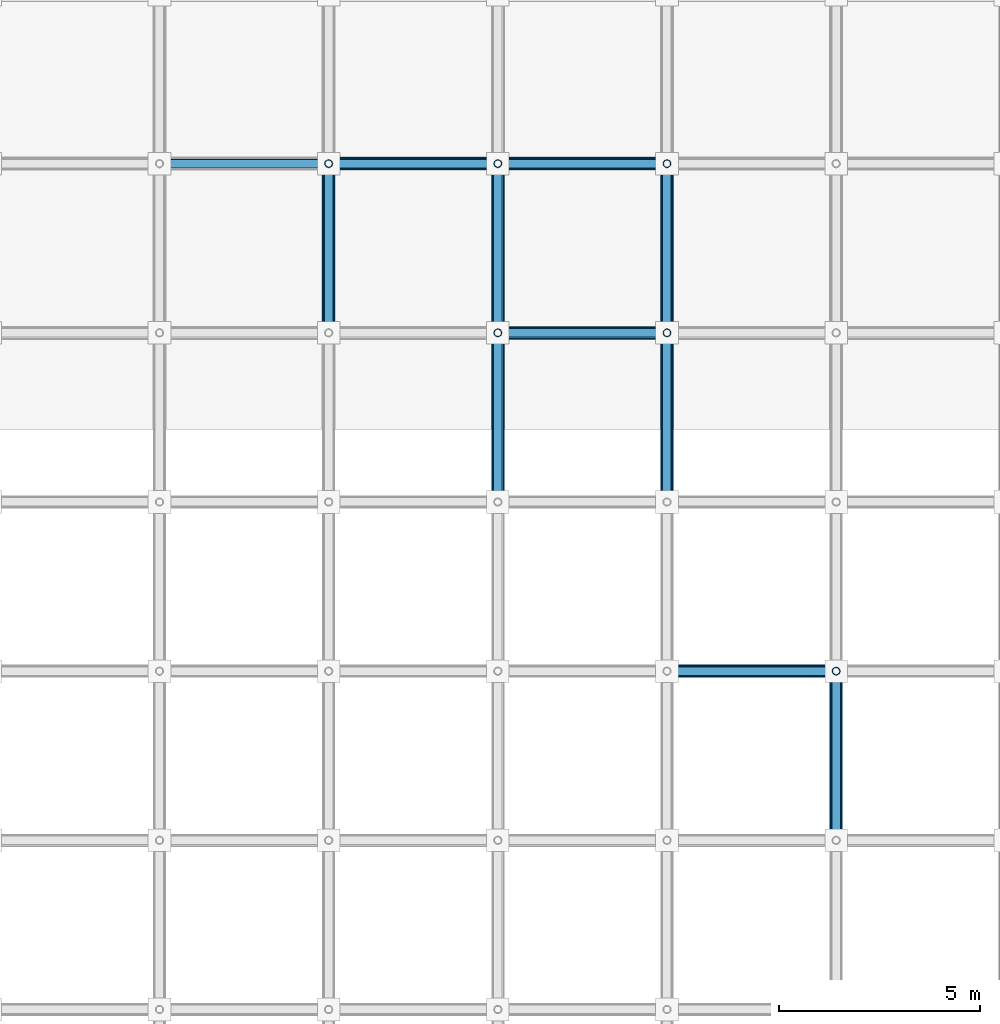
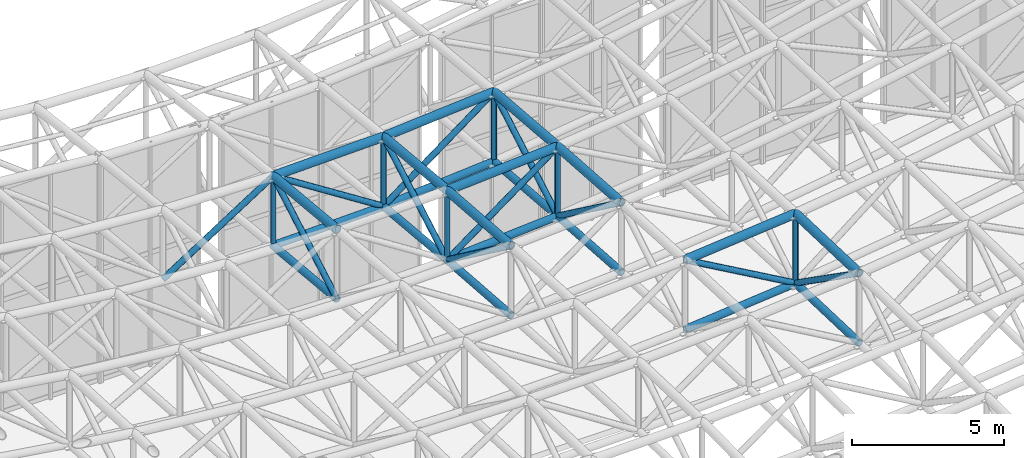
# One storey, part 35 of 93: 37 members.
"""IFC4 building model written with IfcOpenShell, lengths in metres."""

import ifcopenshell
import ifcopenshell.guid

model = None  # the IFC model being written
_history = None  # IfcOwnerHistory: only IFC2X3 demands one
_inside = {}  # id of a spatial element -> (the spatial element, [elements in it])
_under = {}  # id of a project, library or spatial element -> (it, [spatial elements below it])
_declared = {}  # id of a project -> (the project, [libraries it declares])
_typed = {}  # id of a type object -> (the type object, [elements of that type])
_made_of = {}  # id of a material, layer set ... -> (it, [elements and type objects made of it])


def new_model(schema):
    """Start an empty IFC model of exactly this schema.

    Asked for "IFC4X3", IfcOpenShell would pick the latest addendum, in which some entities
    have other attributes; the version numbers below select the first issue.
    IFC2X3 requires an IfcOwnerHistory on every rooted entity: one is made here for all.
    """
    global model, _history
    if schema == "IFC4X3":
        model = ifcopenshell.file(schema_version=(4, 3, 0, 0))
    else:
        model = ifcopenshell.file(schema=schema)
    _inside.clear()
    _under.clear()
    _declared.clear()
    _typed.clear()
    _made_of.clear()
    _history = None
    if model.schema == "IFC2X3":
        org = make("IfcOrganization", Name="unknown")
        user = make(
            "IfcPersonAndOrganization",
            ThePerson=make("IfcPerson", FamilyName="unknown"),
            TheOrganization=org,
        )
        app = make(
            "IfcApplication",
            ApplicationDeveloper=org,
            Version="unknown",
            ApplicationFullName="unknown",
            ApplicationIdentifier="unknown",
        )
        _history = make(
            "IfcOwnerHistory",
            OwningUser=user,
            OwningApplication=app,
            ChangeAction="ADDED",
            CreationDate=0,
        )
    return model


def make(cls, **values):
    """One entity of the class cls with the attributes given. An attribute that is None is left unset."""
    return model.create_entity(
        cls, **{name: value for name, value in values.items() if value is not None}
    )


def rooted(cls, **values):
    """An entity with a GlobalId (a new one), such as an element, a storey or a relation."""
    return make(cls, GlobalId=ifcopenshell.guid.new(), OwnerHistory=_history, **values)


def si_unit(unit_type, name, prefix=None):
    """IfcSIUnit, for example si_unit("LENGTHUNIT", "METRE", prefix="MILLI")."""
    return make("IfcSIUnit", UnitType=unit_type, Prefix=prefix, Name=name)


def assignment(units):
    """IfcUnitAssignment: the units of a project."""
    return None if units is None else make("IfcUnitAssignment", Units=units)


def point(xyz):
    """IfcCartesianPoint."""
    return None if xyz is None else make("IfcCartesianPoint", Coordinates=xyz)


def direction(xyz):
    """IfcDirection."""
    return None if xyz is None else make("IfcDirection", DirectionRatios=xyz)


def frame(location, z_axis=None, x_axis=None):
    """IfcAxis2Placement3D, a coordinate frame: its origin and axes. An axis left out is left unset."""
    return make(
        "IfcAxis2Placement3D",
        Location=point(location),
        Axis=direction(z_axis),
        RefDirection=direction(x_axis),
    )


def frame_2d(location, x_axis=None):
    """IfcAxis2Placement2D, a coordinate frame in the plane: its origin and x axis."""
    return make(
        "IfcAxis2Placement2D", Location=point(location), RefDirection=direction(x_axis)
    )


def origin():
    """The frame at (0, 0, 0) with its axes left unset."""
    return frame((0.0, 0.0, 0.0))


def origin_2d():
    """The frame at (0, 0) in the plane with its x axis left unset."""
    return frame_2d((0.0, 0.0))


def place(relative_to, where):
    """IfcLocalPlacement: puts the frame where relative to a parent placement (None: the world)."""
    return make(
        "IfcLocalPlacement", PlacementRelTo=relative_to, RelativePlacement=where
    )


def context(
    kind, dimensions, precision=None, world=None, true_north=None, identifier=None
):
    """IfcGeometricRepresentationContext, for example the 3D "Model" context."""
    return make(
        "IfcGeometricRepresentationContext",
        ContextIdentifier=identifier,
        ContextType=kind,
        CoordinateSpaceDimension=dimensions,
        Precision=precision,
        WorldCoordinateSystem=world,
        TrueNorth=true_north,
    )


def subcontext(parent, identifier, kind, view, scale=None):
    """IfcGeometricRepresentationSubContext, for example "Body" below "Model"."""
    return make(
        "IfcGeometricRepresentationSubContext",
        ContextIdentifier=identifier,
        ContextType=kind,
        ParentContext=parent,
        TargetScale=scale,
        TargetView=view,
    )


def project(units=None, contexts=None):
    """IfcProject with its units and contexts."""
    return rooted(
        "IfcProject",
        Name="project",
        RepresentationContexts=contexts,
        UnitsInContext=assignment(units),
    )


def spatial(cls, under=None, at=None, **own):
    """A site, building, storey or space (cls), placed at a placement, below another one or the project."""
    s = rooted(cls, ObjectPlacement=at, **own)
    if under is not None:
        _under.setdefault(under.id(), (under, []))[1].append(s)
    return s


def profile(cls, at=None, kind="AREA", **sizes):
    """A parametric profile (cls). Its sizes go by their IFC names, for example OverallWidth=200.0."""
    return make(cls, ProfileType=kind, Position=at, **sizes)


def hollow_circle(**sizes):
    """IfcCircleHollowProfileDef."""
    return profile("IfcCircleHollowProfileDef", **sizes)


def extrude(swept, where, along, depth):
    """IfcExtrudedAreaSolid: the profile swept, set in the frame where, extruded along a direction by depth."""
    return make(
        "IfcExtrudedAreaSolid",
        SweptArea=swept,
        Position=where,
        ExtrudedDirection=direction(along),
        Depth=depth,
    )


def shape(context_of_items, identifier, shape_type, items):
    """IfcShapeRepresentation: the items that make up one representation, for example the "Body"."""
    return make(
        "IfcShapeRepresentation",
        ContextOfItems=context_of_items,
        RepresentationIdentifier=identifier,
        RepresentationType=shape_type,
        Items=items,
    )


def material(Name=None, Category=None):
    """IfcMaterial."""
    return make("IfcMaterial", Name=Name, Category=Category)


def material_profile(
    of_material, cross_section, Name=None, Category=None, Priority=None
):
    """IfcMaterialProfile: a cross section and its material."""
    return make(
        "IfcMaterialProfile",
        Name=Name,
        Material=of_material,
        Profile=cross_section,
        Priority=Priority,
        Category=Category,
    )


def profile_set(profiles, Name=None, composite=None):
    """IfcMaterialProfileSet."""
    return make(
        "IfcMaterialProfileSet",
        Name=Name,
        MaterialProfiles=profiles,
        CompositeProfile=composite,
    )


def made_of(thing, what):
    """Note that an element or type object is made of a material, layer set ...; save() writes the relation."""
    if what is not None:
        _made_of.setdefault(what.id(), (what, []))[1].append(thing)
    return thing


def type_object(cls, material=None, **own):
    """A type object (cls), such as IfcWallType, which elements share."""
    return made_of(rooted(cls, **own), material)


def element(
    cls,
    number,
    at=None,
    inside=None,
    cuts=None,
    type_object=None,
    material=None,
    context=None,
    identifier="Body",
    shape_type=None,
    held_by="IfcProductDefinitionShape",
    body=None,
    shapes=None,
    **own,
):
    """One element of the class cls, such as IfcWall. Its Tag is "e" and its number.

    at: its placement. inside: the storey or other place that contains it. cuts: it is an
    opening in that element (IfcRelVoidsElement). A single representation is given by context,
    identifier, shape_type and body (its items); several are given by shapes. held_by: the class
    of the entity that holds the representations. save() writes the other relations.
    """
    e = rooted(cls, Tag="e%d" % number, ObjectPlacement=at, **own)
    if body is not None:
        shapes = [shape(context, identifier, shape_type, body)]
    if shapes is not None:
        e.Representation = make(held_by, Representations=shapes)
    if inside is not None:
        _inside.setdefault(inside.id(), (inside, []))[1].append(e)
    if cuts is not None:
        rooted(
            "IfcRelVoidsElement", RelatingBuildingElement=cuts, RelatedOpeningElement=e
        )
    if type_object is not None:
        _typed.setdefault(type_object.id(), (type_object, []))[1].append(e)
    return made_of(e, material)


def aggregate(whole, parts):
    """IfcRelAggregates: a whole, such as a stair, and the parts it consists of."""
    return rooted("IfcRelAggregates", RelatingObject=whole, RelatedObjects=parts)


def save(model, path):
    """Write the relations noted so far, then the file.

    IfcRelAggregates (storeys below a building ...), IfcRelContainedInSpatialStructure (elements
    in a storey), IfcRelDefinesByType, IfcRelAssociatesMaterial and IfcRelDeclares: one each for
    every whole, place, type object, material and project.
    """
    for whole, parts in _under.values():
        aggregate(whole, parts)
    for where, things in _inside.values():
        rooted(
            "IfcRelContainedInSpatialStructure",
            RelatedElements=things,
            RelatingStructure=where,
        )
    for kind, things in _typed.values():
        rooted("IfcRelDefinesByType", RelatedObjects=things, RelatingType=kind)
    for what, things in _made_of.values():
        rooted("IfcRelAssociatesMaterial", RelatedObjects=things, RelatingMaterial=what)
    for by, libraries in _declared.values():
        rooted("IfcRelDeclares", RelatingContext=by, RelatedDefinitions=libraries)
    model.write(path)


model = new_model("IFC4")

# Units and contexts
model_context = context("Model", 3, precision=1e-05, world=origin(), true_north=direction((0.0, 1.0)))
body_context = subcontext(model_context, "Body", "Model", "MODEL_VIEW")
ifc_project = project(units=[si_unit("LENGTHUNIT", "METRE"), si_unit("AREAUNIT", "SQUARE_METRE"), si_unit("VOLUMEUNIT", "CUBIC_METRE"), si_unit("PLANEANGLEUNIT", "RADIAN"), si_unit("MASSUNIT", "GRAM", prefix="KILO")], contexts=[model_context])

# Site, building, storey
site_placement = place(None, origin())
site = spatial("IfcSite", under=ifc_project, at=site_placement, CompositionType="ELEMENT")
building_placement = place(site_placement, origin())
building = spatial("IfcBuilding", under=site, at=building_placement, Name="Cumbredor Promenade Congress Hotel", CompositionType="ELEMENT")
storey_placement = place(building_placement, frame((0.0, 0.0, 21.840087890625)))
storey = spatial("IfcBuildingStorey", under=building, at=storey_placement, Name="L06", CompositionType="ELEMENT", Elevation=21.840087890625)

# Members
ifc_material = material(Name="Steel ASTM A500 Grade C", Category="steel")
ifc_material_profile_1 = material_profile(ifc_material, hollow_circle(Radius=0.136474609375, WallThickness=0.01611328125, at=origin_2d()), Name="CHS 273.0x16")
ifc_profile_set_1 = profile_set([ifc_material_profile_1], Name="Steel ASTM A500 Grade C")
member_type_1 = type_object("IfcMemberType", Name="Plenary Roof Space Frame Bottom Chord", PredefinedType="CHORD", material=ifc_profile_set_1)
member_1_placement = place(storey_placement, frame((42.0, 50.39990234375, 7.85400390625), z_axis=(0.995448277851, 0.0, 0.095303337419), x_axis=(0.0, 1.0, 0.0)))
element("IfcMember", 1, at=member_1_placement, inside=storey, type_object=member_type_1, Name="Plenary Congress Hall X Bottom Chord 12.13", PredefinedType="CHORD", context=body_context, shape_type="SweptSolid", body=[
    extrude(hollow_circle(Radius=0.136474609375, WallThickness=0.01611328125, at=origin_2d()), origin(), (0.0, 0.0, 1.0), 4.21923828125),
])
member_2_placement = place(storey_placement, frame((37.800048828125, 58.800048828125, 7.03271484375), z_axis=(0.997507033779, 0.0, 0.070567113882), x_axis=(0.0, 1.0, 0.0)))
element("IfcMember", 2, at=member_2_placement, inside=storey, type_object=member_type_1, Name="Plenary Congress Hall X Bottom Chord 11.15", PredefinedType="CHORD", context=body_context, shape_type="SweptSolid", body=[
    extrude(hollow_circle(Radius=0.136474609375, WallThickness=0.01611328125, at=origin_2d()), origin(), (0.0, 0.0, 1.0), 4.21044921875),
])
member_3_placement = place(storey_placement, frame((33.60009765625, 63.0, 6.534912109375), z_axis=(0.999650411904, 0.0, 0.026439628984), x_axis=(0.0, 1.0, 0.0)))
element("IfcMember", 3, at=member_3_placement, inside=storey, type_object=member_type_1, Name="Plenary Congress Hall X Bottom Chord 10.16", PredefinedType="CHORD", context=body_context, shape_type="SweptSolid", body=[
    extrude(hollow_circle(Radius=0.136474609375, WallThickness=0.01611328125, at=origin_2d()), origin(), (0.0, 0.0, 1.0), 4.201416015625),
])
member_4_placement = place(storey_placement, frame((37.800048828125, 63.0, 6.64599609375), z_axis=(0.996848540379, 0.0, 0.079328352716), x_axis=(0.0, 1.0, 0.0)))
element("IfcMember", 4, at=member_4_placement, inside=storey, type_object=member_type_1, Name="Plenary Congress Hall X Bottom Chord 11.16", PredefinedType="CHORD", context=body_context, shape_type="SweptSolid", body=[
    extrude(hollow_circle(Radius=0.136474609375, WallThickness=0.01611328125, at=origin_2d()), origin(), (0.0, 0.0, 1.0), 4.213134765625),
])
member_5_placement = place(storey_placement, frame((33.60009765625, 58.800048828125, 6.933837890625), z_axis=(0.0, 0.995519368721, -0.094557847381), x_axis=(-1.0, 0.0, 0.0)))
element("IfcMember", 5, at=member_5_placement, inside=storey, type_object=member_type_1, Name="Plenary Congress Hall Y Bottom Chord 10.15", PredefinedType="CHORD", context=body_context, shape_type="SweptSolid", body=[
    extrude(hollow_circle(Radius=0.136474609375, WallThickness=0.01611328125, at=origin_2d()), origin(), (0.0, 0.0, 1.0), 4.21875),
])
member_6_placement = place(storey_placement, frame((37.800048828125, 54.60009765625, 7.35498046875), z_axis=(0.0, 0.997069127511, -0.076505914568), x_axis=(-1.0, 0.0, 0.0)))
element("IfcMember", 6, at=member_6_placement, inside=storey, type_object=member_type_1, Name="Plenary Congress Hall Y Bottom Chord 11.14", PredefinedType="CHORD", context=body_context, shape_type="SweptSolid", body=[
    extrude(hollow_circle(Radius=0.136474609375, WallThickness=0.01611328125, at=origin_2d()), origin(), (0.0, 0.0, 1.0), 4.21240234375),
])
member_7_placement = place(storey_placement, frame((37.800048828125, 58.800048828125, 7.03271484375), z_axis=(0.0, 0.99578768212, -0.091689105881), x_axis=(-1.0, 0.0, 0.0)))
element("IfcMember", 7, at=member_7_placement, inside=storey, type_object=member_type_1, Name="Plenary Congress Hall Y Bottom Chord 11.15", PredefinedType="CHORD", context=body_context, shape_type="SweptSolid", body=[
    extrude(hollow_circle(Radius=0.136474609375, WallThickness=0.01611328125, at=origin_2d()), origin(), (0.0, 0.0, 1.0), 4.2177734375),
])
member_8_placement = place(storey_placement, frame((42.0, 54.60009765625, 7.62109375), z_axis=(0.0, 0.997604040351, -0.069182213575), x_axis=(-1.0, 0.0, 0.0)))
element("IfcMember", 8, at=member_8_placement, inside=storey, type_object=member_type_1, Name="Plenary Congress Hall Y Bottom Chord 12.14", PredefinedType="CHORD", context=body_context, shape_type="SweptSolid", body=[
    extrude(hollow_circle(Radius=0.136474609375, WallThickness=0.01611328125, at=origin_2d()), origin(), (0.0, 0.0, 1.0), 4.2099609375),
])
member_9_placement = place(storey_placement, frame((42.0, 58.800048828125, 7.329833984375), z_axis=(0.0, 0.996553344784, -0.082954391079), x_axis=(-1.0, 0.0, 0.0)))
element("IfcMember", 9, at=member_9_placement, inside=storey, type_object=member_type_1, Name="Plenary Congress Hall Y Bottom Chord 12.15", PredefinedType="CHORD", context=body_context, shape_type="SweptSolid", body=[
    extrude(hollow_circle(Radius=0.136474609375, WallThickness=0.01611328125, at=origin_2d()), origin(), (0.0, 0.0, 1.0), 4.21435546875),
])
member_10_placement = place(storey_placement, frame((46.199951171875, 46.199951171875, 8.399658203125), z_axis=(0.0, 0.999416372229, -0.034160136422), x_axis=(-1.0, 0.0, 0.0)))
element("IfcMember", 10, at=member_10_placement, inside=storey, type_object=member_type_1, Name="Plenary Congress Hall Y Bottom Chord 13.12", PredefinedType="CHORD", context=body_context, shape_type="SweptSolid", body=[
    extrude(hollow_circle(Radius=0.136474609375, WallThickness=0.01611328125, at=origin_2d()), origin(), (0.0, 0.0, 1.0), 4.202392578125),
])
ifc_material_profile_2 = material_profile(ifc_material, hollow_circle(Radius=0.161865234375, WallThickness=0.01611328125, at=origin_2d()), Name="CHS 323.9x16")
ifc_profile_set_2 = profile_set([ifc_material_profile_2], Name="Steel ASTM A500 Grade C")
member_type_2 = type_object("IfcMemberType", Name="Plenary Roof Space Frame Top Chord", PredefinedType="CHORD", material=ifc_profile_set_2)
member_11_placement = place(storey_placement, frame((42.0, 50.39990234375, 10.654052734375), z_axis=(0.995453765838, 0.0, 0.095245997708), x_axis=(0.0, 1.0, 0.0)))
element("IfcMember", 11, at=member_11_placement, inside=storey, type_object=member_type_2, Name="Plenary Congress Hall X Top Chord 12.13", PredefinedType="CHORD", context=body_context, shape_type="SweptSolid", body=[
    extrude(hollow_circle(Radius=0.161865234375, WallThickness=0.01611328125, at=origin_2d()), origin(), (0.0, 0.0, 1.0), 4.21923828125),
])
member_12_placement = place(storey_placement, frame((37.800048828125, 58.800048828125, 9.832763671875), z_axis=(0.997507033779, 0.0, 0.070567113882), x_axis=(0.0, 1.0, 0.0)))
element("IfcMember", 12, at=member_12_placement, inside=storey, type_object=member_type_2, Name="Plenary Congress Hall X Top Chord 11.15", PredefinedType="CHORD", context=body_context, shape_type="SweptSolid", body=[
    extrude(hollow_circle(Radius=0.161865234375, WallThickness=0.01611328125, at=origin_2d()), origin(), (0.0, 0.0, 1.0), 4.21044921875),
])
member_13_placement = place(storey_placement, frame((33.60009765625, 63.0, 9.334716796875), z_axis=(0.999648874374, 0.0, 0.026497697304), x_axis=(0.0, 1.0, 0.0)))
element("IfcMember", 13, at=member_13_placement, inside=storey, type_object=member_type_2, Name="Plenary Congress Hall X Top Chord 10.16", PredefinedType="CHORD", context=body_context, shape_type="SweptSolid", body=[
    extrude(hollow_circle(Radius=0.161865234375, WallThickness=0.01611328125, at=origin_2d()), origin(), (0.0, 0.0, 1.0), 4.201416015625),
])
member_14_placement = place(storey_placement, frame((37.800048828125, 63.0, 9.446044921875), z_axis=(0.996848540379, 0.0, 0.079328352716), x_axis=(0.0, 1.0, 0.0)))
element("IfcMember", 14, at=member_14_placement, inside=storey, type_object=member_type_2, Name="Plenary Congress Hall X Top Chord 11.16", PredefinedType="CHORD", context=body_context, shape_type="SweptSolid", body=[
    extrude(hollow_circle(Radius=0.161865234375, WallThickness=0.01611328125, at=origin_2d()), origin(), (0.0, 0.0, 1.0), 4.213134765625),
])
member_15_placement = place(storey_placement, frame((33.60009765625, 58.800048828125, 9.73388671875), z_axis=(0.0, 0.995513919654, -0.094615198433), x_axis=(-1.0, 0.0, 0.0)))
element("IfcMember", 15, at=member_15_placement, inside=storey, type_object=member_type_2, Name="Plenary Congress Hall Y Top Chord 10.15", PredefinedType="CHORD", context=body_context, shape_type="SweptSolid", body=[
    extrude(hollow_circle(Radius=0.161865234375, WallThickness=0.01611328125, at=origin_2d()), origin(), (0.0, 0.0, 1.0), 4.218994140625),
])
member_16_placement = place(storey_placement, frame((37.800048828125, 54.60009765625, 10.155029296875), z_axis=(0.0, 0.997069127511, -0.076505914568), x_axis=(-1.0, 0.0, 0.0)))
element("IfcMember", 16, at=member_16_placement, inside=storey, type_object=member_type_2, Name="Plenary Congress Hall Y Top Chord 11.14", PredefinedType="CHORD", context=body_context, shape_type="SweptSolid", body=[
    extrude(hollow_circle(Radius=0.161865234375, WallThickness=0.01611328125, at=origin_2d()), origin(), (0.0, 0.0, 1.0), 4.21240234375),
])
member_17_placement = place(storey_placement, frame((37.800048828125, 58.800048828125, 9.832763671875), z_axis=(0.0, 0.99578768212, -0.091689105881), x_axis=(-1.0, 0.0, 0.0)))
element("IfcMember", 17, at=member_17_placement, inside=storey, type_object=member_type_2, Name="Plenary Congress Hall Y Top Chord 11.15", PredefinedType="CHORD", context=body_context, shape_type="SweptSolid", body=[
    extrude(hollow_circle(Radius=0.161865234375, WallThickness=0.01611328125, at=origin_2d()), origin(), (0.0, 0.0, 1.0), 4.2177734375),
])
member_18_placement = place(storey_placement, frame((42.0, 54.60009765625, 10.421142578125), z_axis=(0.0, 0.997604040351, -0.069182213575), x_axis=(-1.0, 0.0, 0.0)))
element("IfcMember", 18, at=member_18_placement, inside=storey, type_object=member_type_2, Name="Plenary Congress Hall Y Top Chord 12.14", PredefinedType="CHORD", context=body_context, shape_type="SweptSolid", body=[
    extrude(hollow_circle(Radius=0.161865234375, WallThickness=0.01611328125, at=origin_2d()), origin(), (0.0, 0.0, 1.0), 4.2099609375),
])
member_19_placement = place(storey_placement, frame((42.0, 58.800048828125, 10.1298828125), z_axis=(0.0, 0.996553344784, -0.082954391079), x_axis=(-1.0, 0.0, 0.0)))
element("IfcMember", 19, at=member_19_placement, inside=storey, type_object=member_type_2, Name="Plenary Congress Hall Y Top Chord 12.15", PredefinedType="CHORD", context=body_context, shape_type="SweptSolid", body=[
    extrude(hollow_circle(Radius=0.161865234375, WallThickness=0.01611328125, at=origin_2d()), origin(), (0.0, 0.0, 1.0), 4.21435546875),
])
member_20_placement = place(storey_placement, frame((46.199951171875, 46.199951171875, 11.19970703125), z_axis=(0.0, 0.999414387158, -0.034218163927), x_axis=(-1.0, 0.0, 0.0)))
element("IfcMember", 20, at=member_20_placement, inside=storey, type_object=member_type_2, Name="Plenary Congress Hall Y Top Chord 13.12", PredefinedType="CHORD", context=body_context, shape_type="SweptSolid", body=[
    extrude(hollow_circle(Radius=0.161865234375, WallThickness=0.01611328125, at=origin_2d()), origin(), (0.0, 0.0, 1.0), 4.202392578125),
])
ifc_material_profile_3 = material_profile(ifc_material, hollow_circle(Radius=0.109619140625, WallThickness=0.012451171875, at=origin_2d()), Name="CHS 219.1x12.5")
ifc_profile_set_3 = profile_set([ifc_material_profile_3], Name="Steel ASTM A500 Grade C")
member_type_3 = type_object("IfcMemberType", Name="Space Frame Web Diagonal D1", PredefinedType="BRACE", material=ifc_profile_set_3)
member_21_placement = place(storey_placement, frame((42.0, 50.39990234375, 10.654052734375), z_axis=(0.868423262922, 0.0, -0.495823594049), x_axis=(0.0, 1.0, 0.0)))
element("IfcMember", 21, at=member_21_placement, inside=storey, type_object=member_type_3, Name="Plenary Congress Hall X Web Diagonal 12.13", PredefinedType="BRACE", context=body_context, shape_type="SweptSolid", body=[
    extrude(hollow_circle(Radius=0.109619140625, WallThickness=0.012451171875, at=origin_2d()), origin(), (0.0, 0.0, 1.0), 4.836181640625),
])
member_22_placement = place(storey_placement, frame((37.800048828125, 58.800048828125, 7.03271484375), z_axis=(0.804830004985, 0.0, 0.593505402735), x_axis=(0.0, 1.0, 0.0)))
element("IfcMember", 22, at=member_22_placement, inside=storey, type_object=member_type_3, Name="Plenary Congress Hall X Web Diagonal 11.15", PredefinedType="BRACE", context=body_context, shape_type="SweptSolid", body=[
    extrude(hollow_circle(Radius=0.109619140625, WallThickness=0.012451171875, at=origin_2d()), origin(), (0.0, 0.0, 1.0), 5.218505859375),
])
member_23_placement = place(storey_placement, frame((29.39990234375, 63.0, 6.64599609375), z_axis=(0.842217162783, 0.0, 0.53913843372), x_axis=(0.0, 1.0, 0.0)))
element("IfcMember", 23, at=member_23_placement, inside=storey, type_object=member_type_3, Name="Plenary Congress Hall X Web Diagonal 9.16", PredefinedType="BRACE", context=body_context, shape_type="SweptSolid", body=[
    extrude(hollow_circle(Radius=0.109619140625, WallThickness=0.012451171875, at=origin_2d()), origin(), (0.0, 0.0, 1.0), 4.987060546875),
])
member_24_placement = place(storey_placement, frame((33.60009765625, 63.0, 9.334716796875), z_axis=(0.842202932219, 0.0, -0.539160663403), x_axis=(0.0, 1.0, 0.0)))
element("IfcMember", 24, at=member_24_placement, inside=storey, type_object=member_type_3, Name="Plenary Congress Hall X Web Diagonal 10.16", PredefinedType="BRACE", context=body_context, shape_type="SweptSolid", body=[
    extrude(hollow_circle(Radius=0.109619140625, WallThickness=0.012451171875, at=origin_2d()), origin(), (0.0, 0.0, 1.0), 4.98681640625),
])
member_25_placement = place(storey_placement, frame((37.800048828125, 63.0, 6.64599609375), z_axis=(0.801434446423, 0.0, 0.598082626471), x_axis=(0.0, 1.0, 0.0)))
element("IfcMember", 25, at=member_25_placement, inside=storey, type_object=member_type_3, Name="Plenary Congress Hall X Web Diagonal 11.16", PredefinedType="BRACE", context=body_context, shape_type="SweptSolid", body=[
    extrude(hollow_circle(Radius=0.109619140625, WallThickness=0.012451171875, at=origin_2d()), origin(), (0.0, 0.0, 1.0), 5.240478515625),
])
member_26_placement = place(storey_placement, frame((33.60009765625, 58.800048828125, 6.933837890625), z_axis=(0.0, 0.868162385418, 0.496280235901), x_axis=(-1.0, 0.0, 0.0)))
element("IfcMember", 26, at=member_26_placement, inside=storey, type_object=member_type_3, Name="Plenary Congress Hall Y Web Diagonal 10.15", PredefinedType="BRACE", context=body_context, shape_type="SweptSolid", body=[
    extrude(hollow_circle(Radius=0.109619140625, WallThickness=0.012451171875, at=origin_2d()), origin(), (0.0, 0.0, 1.0), 4.837646484375),
])
member_27_placement = place(storey_placement, frame((37.800048828125, 54.60009765625, 10.155029296875), z_axis=(0.0, 0.802528776415, -0.596613411705), x_axis=(-1.0, 0.0, 0.0)))
element("IfcMember", 27, at=member_27_placement, inside=storey, type_object=member_type_3, Name="Plenary Congress Hall Y Web Diagonal 11.14", PredefinedType="BRACE", context=body_context, shape_type="SweptSolid", body=[
    extrude(hollow_circle(Radius=0.109619140625, WallThickness=0.012451171875, at=origin_2d()), origin(), (0.0, 0.0, 1.0), 5.2333984375),
])
member_28_placement = place(storey_placement, frame((37.800048828125, 58.800048828125, 7.03271484375), z_axis=(0.0, 0.867052734654, 0.498216374008), x_axis=(-1.0, 0.0, 0.0)))
element("IfcMember", 28, at=member_28_placement, inside=storey, type_object=member_type_3, Name="Plenary Congress Hall Y Web Diagonal 11.15", PredefinedType="BRACE", context=body_context, shape_type="SweptSolid", body=[
    extrude(hollow_circle(Radius=0.109619140625, WallThickness=0.012451171875, at=origin_2d()), origin(), (0.0, 0.0, 1.0), 4.843994140625),
])
member_29_placement = place(storey_placement, frame((42.0, 54.60009765625, 10.421142578125), z_axis=(0.0, 0.805366373182, -0.592777365415), x_axis=(-1.0, 0.0, 0.0)))
element("IfcMember", 29, at=member_29_placement, inside=storey, type_object=member_type_3, Name="Plenary Congress Hall Y Web Diagonal 12.14", PredefinedType="BRACE", context=body_context, shape_type="SweptSolid", body=[
    extrude(hollow_circle(Radius=0.109619140625, WallThickness=0.012451171875, at=origin_2d()), origin(), (0.0, 0.0, 1.0), 5.21484375),
])
member_30_placement = place(storey_placement, frame((42.0, 58.800048828125, 7.329833984375), z_axis=(0.0, 0.86373701413, 0.503942824555), x_axis=(-1.0, 0.0, 0.0)))
element("IfcMember", 30, at=member_30_placement, inside=storey, type_object=member_type_3, Name="Plenary Congress Hall Y Web Diagonal 12.15", PredefinedType="BRACE", context=body_context, shape_type="SweptSolid", body=[
    extrude(hollow_circle(Radius=0.109619140625, WallThickness=0.012451171875, at=origin_2d()), origin(), (0.0, 0.0, 1.0), 4.862548828125),
])
member_31_placement = place(storey_placement, frame((46.199951171875, 46.199951171875, 11.19970703125), z_axis=(0.0, 0.818898567667, -0.573938268346), x_axis=(-1.0, 0.0, 0.0)))
element("IfcMember", 31, at=member_31_placement, inside=storey, type_object=member_type_3, Name="Plenary Congress Hall Y Web Diagonal 13.12", PredefinedType="BRACE", context=body_context, shape_type="SweptSolid", body=[
    extrude(hollow_circle(Radius=0.109619140625, WallThickness=0.012451171875, at=origin_2d()), origin(), (0.0, 0.0, 1.0), 5.128662109375),
])
ifc_material_profile_4 = material_profile(ifc_material, hollow_circle(Radius=0.096923828125, WallThickness=0.010009765625, at=origin_2d()), Name="CHS 193.7x10")
ifc_profile_set_4 = profile_set([ifc_material_profile_4], Name="Steel ASTM A500 Grade C")
member_type_4 = type_object("IfcMemberType", Name="Space Frame Web Post P1", PredefinedType="BRACE", material=ifc_profile_set_4)
member_32_placement = place(storey_placement, frame((33.60009765625, 63.0, 6.534912109375), z_axis=(0.0, 0.0, 1.0), x_axis=(1.0, 0.0, 0.0)))
element("IfcMember", 32, at=member_32_placement, inside=storey, type_object=member_type_4, Name="Plenary Congress Hall Space Frame Web Post 10.16", PredefinedType="BRACE", context=body_context, shape_type="SweptSolid", body=[
    extrude(hollow_circle(Radius=0.096923828125, WallThickness=0.010009765625, at=origin_2d()), origin(), (0.0, 0.0, 1.0), 2.7998046875),
])
for number, where, z_axis, x_axis, name in (
    (33, (37.800048828125, 58.800048828125, 7.03271484375), (0.0, 0.0, 1.0), (1.0, 0.0, 0.0), "Plenary Congress Hall Space Frame Web Post 11.15"),
    (34, (37.800048828125, 63.0, 6.64599609375), (0.0, 0.0, 1.0), (1.0, 0.0, 0.0), "Plenary Congress Hall Space Frame Web Post 11.16"),
    (35, (42.0, 58.800048828125, 7.329833984375), (0.0, 0.0, 1.0), (1.0, 0.0, 0.0), "Plenary Congress Hall Space Frame Web Post 12.15"),
    (36, (42.0, 63.0, 6.980224609375), (0.0, 0.0, 1.0), (1.0, 0.0, 0.0), "Plenary Congress Hall Space Frame Web Post 12.16"),
):
    element("IfcMember", number, at=place(storey_placement, frame(where, z_axis=z_axis, x_axis=x_axis)), inside=storey, type_object=member_type_4, Name=name, PredefinedType="BRACE", context=body_context, shape_type="SweptSolid", body=[
        extrude(hollow_circle(Radius=0.096923828125, WallThickness=0.010009765625, at=origin_2d()), origin(), (0.0, 0.0, 1.0), 2.800048828125),
    ])
member_33_placement = place(storey_placement, frame((46.199951171875, 50.39990234375, 8.256103515625), z_axis=(0.0, 0.0, 1.0), x_axis=(1.0, 0.0, 0.0)))
element("IfcMember", 37, at=member_33_placement, inside=storey, type_object=member_type_4, Name="Plenary Congress Hall Space Frame Web Post 13.13", PredefinedType="BRACE", context=body_context, shape_type="SweptSolid", body=[
    extrude(hollow_circle(Radius=0.096923828125, WallThickness=0.010009765625, at=origin_2d()), origin(), (0.0, 0.0, 1.0), 2.7998046875),
])

save(model, "model.ifc")
